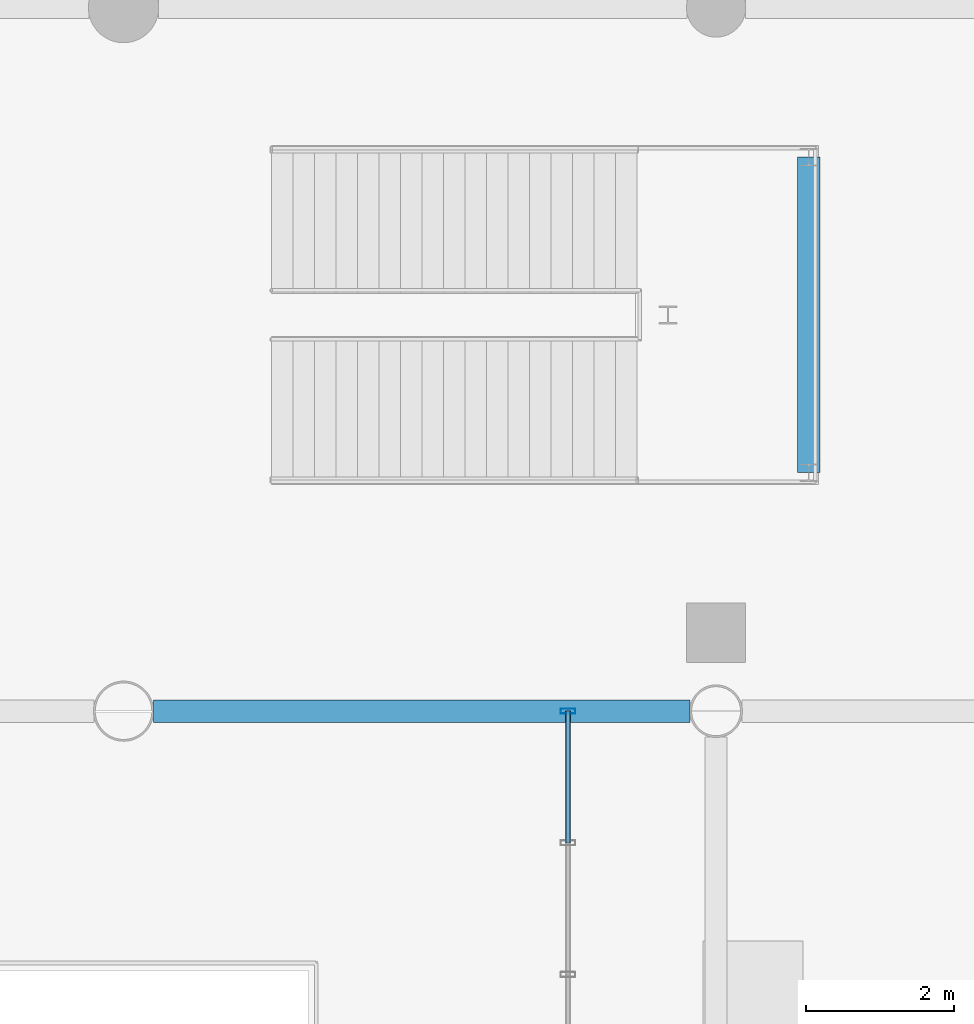
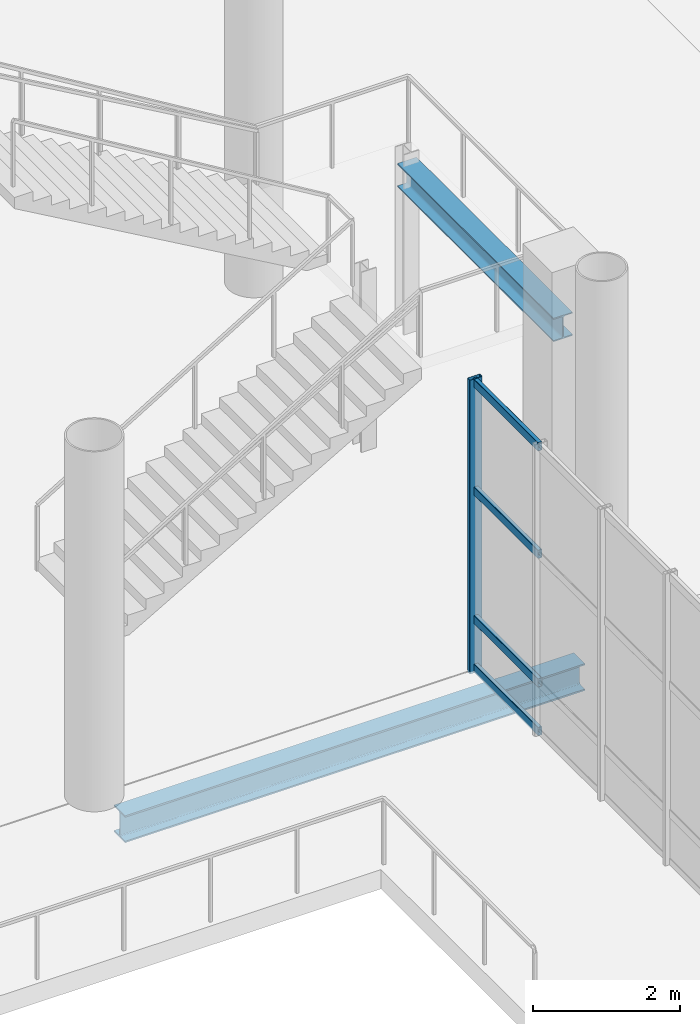
# One storey, part 77 of 163: 5 members, 2 beams, 1 element without a shape of its own.
"""IFC4 building model written with IfcOpenShell, lengths in metres."""

from ifc_helpers import new_model, si_unit, direction, frame, origin, origin_2d, place, context, subcontext, project, spatial, hollow_rectangle, i_section, extrude, material, layer, layer_set, material_profile, profile_set, type_object, element, aggregate, save


model = new_model("IFC4")

# Units and contexts
model_context = context("Model", 3, precision=1e-05, world=origin(), true_north=direction((0.0, 1.0)))
body_context = subcontext(model_context, "Body", "Model", "MODEL_VIEW")
ifc_project = project(units=[si_unit("LENGTHUNIT", "METRE"), si_unit("AREAUNIT", "SQUARE_METRE"), si_unit("VOLUMEUNIT", "CUBIC_METRE"), si_unit("PLANEANGLEUNIT", "RADIAN"), si_unit("MASSUNIT", "GRAM", prefix="KILO")], contexts=[model_context])

# Site, building, storey
site_placement = place(None, origin())
site = spatial("IfcSite", under=ifc_project, at=site_placement, CompositionType="ELEMENT")
building_placement = place(site_placement, origin())
building = spatial("IfcBuilding", under=site, at=building_placement, Name="Khorjan Park Terminus", CompositionType="ELEMENT")
storey_placement = place(building_placement, origin())
storey = spatial("IfcBuildingStorey", under=building, at=storey_placement, Name="L00", CompositionType="ELEMENT", Elevation=0.0)

# Beams
ifc_material_1 = material(Name="Steel S355", Category="steel")
ifc_material_profile_1 = material_profile(ifc_material_1, i_section(OverallWidth=0.3, OverallDepth=0.39, WebThickness=0.011, FlangeThickness=0.019, FilletRadius=0.027, at=origin_2d()), Name="HEA 400")
ifc_profile_set_1 = profile_set([ifc_material_profile_1], Name="Steel S355")
beam_type_1 = type_object("IfcBeamType", Name="BM-HEA400", PredefinedType="BEAM", material=ifc_profile_set_1)
beam_1_placement = place(storey_placement, frame((113.25, 105.22, 2.605), z_axis=(0.0, 1.0, 0.0), x_axis=(-1.0, 0.0, 0.0)))
element("IfcBeam", 1, at=beam_1_placement, inside=storey, type_object=beam_type_1, Name="Stair PS-02 half-landing support beam SB-A40", PredefinedType="BEAM", context=body_context, shape_type="SweptSolid", body=[
    extrude(i_section(OverallWidth=0.3, OverallDepth=0.39, WebThickness=0.011, FlangeThickness=0.019, FilletRadius=0.027, at=origin_2d()), origin(), (0.0, 0.0, 1.0), 4.26),
])
ifc_material_profile_2 = material_profile(ifc_material_1, i_section(OverallWidth=0.3, OverallDepth=0.45, WebThickness=0.014, FlangeThickness=0.026, FilletRadius=0.027, at=origin_2d()), Name="HEB 450")
ifc_profile_set_2 = profile_set([ifc_material_profile_2], Name="Steel S355")
beam_type_2 = type_object("IfcBeamType", Name="BM-HEB450", PredefinedType="BEAM", material=ifc_profile_set_2)
beam_2_placement = place(storey_placement, frame((104.4015, 102.0, -0.625), z_axis=(1.0, 0.0, 0.0), x_axis=(0.0, 1.0, 0.0)))
element("IfcBeam", 2, at=beam_2_placement, inside=storey, type_object=beam_type_2, Name="Primary floor girder SB-B45 (L00)", PredefinedType="BEAM", context=body_context, shape_type="SweptSolid", body=[
    extrude(i_section(OverallWidth=0.3, OverallDepth=0.45, WebThickness=0.014, FlangeThickness=0.026, FilletRadius=0.027, at=origin_2d()), origin(), (0.0, 0.0, 1.0), 7.248),
])

# Curtain wall, members
ifc_material_2 = material(Name="Anodized Bronze Aluminium", Category="aluminium")
ifc_layer = layer(ifc_material_2, 0.22)
ifc_layer_set = layer_set([ifc_layer], Name="Anodized Bronze Aluminium")
curtain_wall_type = type_object("IfcCurtainWallType", Name="CW-BRG-D", PredefinedType="NOTDEFINED", material=ifc_layer_set)
curtain_wall_placement = place(storey_placement, origin())
curtain_wall = element("IfcCurtainWall", 3, at=curtain_wall_placement, inside=storey, type_object=curtain_wall_type, Name="Unitized curtain wall CW-D (CW-NKE-W-L00)", PredefinedType="NOTDEFINED")
ifc_material_profile_3 = material_profile(ifc_material_2, hollow_rectangle(XDim=0.07, YDim=0.2, WallThickness=0.005, InnerFilletRadius=0.005, OuterFilletRadius=0.01, at=origin_2d()), Name="ALM 70x200x5")
ifc_profile_set_3 = profile_set([ifc_material_profile_3], Name="Anodized Bronze Aluminium")
member_type_1 = type_object("IfcMemberType", Name="ML-ALM-200", PredefinedType="MULLION", material=ifc_profile_set_3)
member_1_placement = place(storey_placement, frame((110.0, 102.0, -0.035), z_axis=(0.0, 0.0, 1.0), x_axis=(0.0, -1.0, 0.0)))
member_1 = element("IfcMember", 4, at=member_1_placement, type_object=member_type_1, Name="Curtain-wall mullion ML-20 (CW-NKE-W-L00-0)", PredefinedType="MULLION", context=body_context, shape_type="SweptSolid", body=[
    extrude(hollow_rectangle(XDim=0.07, YDim=0.2, WallThickness=0.005, InnerFilletRadius=0.005, OuterFilletRadius=0.01, at=origin_2d()), origin(), (0.0, 0.0, 1.0), 4.895),
])
ifc_material_profile_4 = material_profile(ifc_material_2, hollow_rectangle(XDim=0.065, YDim=0.14, WallThickness=0.004, InnerFilletRadius=0.004, OuterFilletRadius=0.008, at=origin_2d()), Name="ALT 65x140x4")
ifc_profile_set_4 = profile_set([ifc_material_profile_4], Name="Anodized Bronze Aluminium")
member_type_2 = type_object("IfcMemberType", Name="TR-ALT-140", PredefinedType="USERDEFINED", material=ifc_profile_set_4)
member_2_placement = place(storey_placement, frame((110.0, 102.0, 0.04), z_axis=(0.0, -1.0, 0.0), x_axis=(1.0, 0.0, 0.0)))
member_2 = element("IfcMember", 5, at=member_2_placement, type_object=member_type_2, Name="Curtain-wall transom TR-14 (CW-NKE-W-L00-0-1)", ObjectType="TRANSOM", PredefinedType="USERDEFINED", context=body_context, shape_type="SweptSolid", body=[
    extrude(hollow_rectangle(XDim=0.065, YDim=0.14, WallThickness=0.004, InnerFilletRadius=0.004, OuterFilletRadius=0.008, at=origin_2d()), origin(), (0.0, 0.0, 1.0), 1.7778),
])
member_3_placement = place(storey_placement, frame((110.0, 102.0, 0.85), z_axis=(0.0, -1.0, 0.0), x_axis=(1.0, 0.0, 0.0)))
member_3 = element("IfcMember", 6, at=member_3_placement, type_object=member_type_2, Name="Curtain-wall transom TR-14 (CW-NKE-W-L00-0-2)", ObjectType="TRANSOM", PredefinedType="USERDEFINED", context=body_context, shape_type="SweptSolid", body=[
    extrude(hollow_rectangle(XDim=0.065, YDim=0.14, WallThickness=0.004, InnerFilletRadius=0.004, OuterFilletRadius=0.008, at=origin_2d()), origin(), (0.0, 0.0, 1.0), 1.7778),
])
member_4_placement = place(storey_placement, frame((110.0, 102.0, 2.9915), z_axis=(0.0, -1.0, 0.0), x_axis=(1.0, 0.0, 0.0)))
member_4 = element("IfcMember", 7, at=member_4_placement, type_object=member_type_2, Name="Curtain-wall transom TR-14 (CW-NKE-W-L00-0-3)", ObjectType="TRANSOM", PredefinedType="USERDEFINED", context=body_context, shape_type="SweptSolid", body=[
    extrude(hollow_rectangle(XDim=0.065, YDim=0.14, WallThickness=0.004, InnerFilletRadius=0.004, OuterFilletRadius=0.008, at=origin_2d()), origin(), (0.0, 0.0, 1.0), 1.7778),
])
member_5_placement = place(storey_placement, frame((110.0, 102.0, 4.785), z_axis=(0.0, -1.0, 0.0), x_axis=(1.0, 0.0, 0.0)))
member_5 = element("IfcMember", 8, at=member_5_placement, type_object=member_type_2, Name="Curtain-wall transom TR-14 (CW-NKE-W-L00-0-4)", ObjectType="TRANSOM", PredefinedType="USERDEFINED", context=body_context, shape_type="SweptSolid", body=[
    extrude(hollow_rectangle(XDim=0.065, YDim=0.14, WallThickness=0.004, InnerFilletRadius=0.004, OuterFilletRadius=0.008, at=origin_2d()), origin(), (0.0, 0.0, 1.0), 1.7778),
])
aggregate(curtain_wall, [member_1, member_2, member_3, member_4, member_5])

save(model, "model.ifc")
